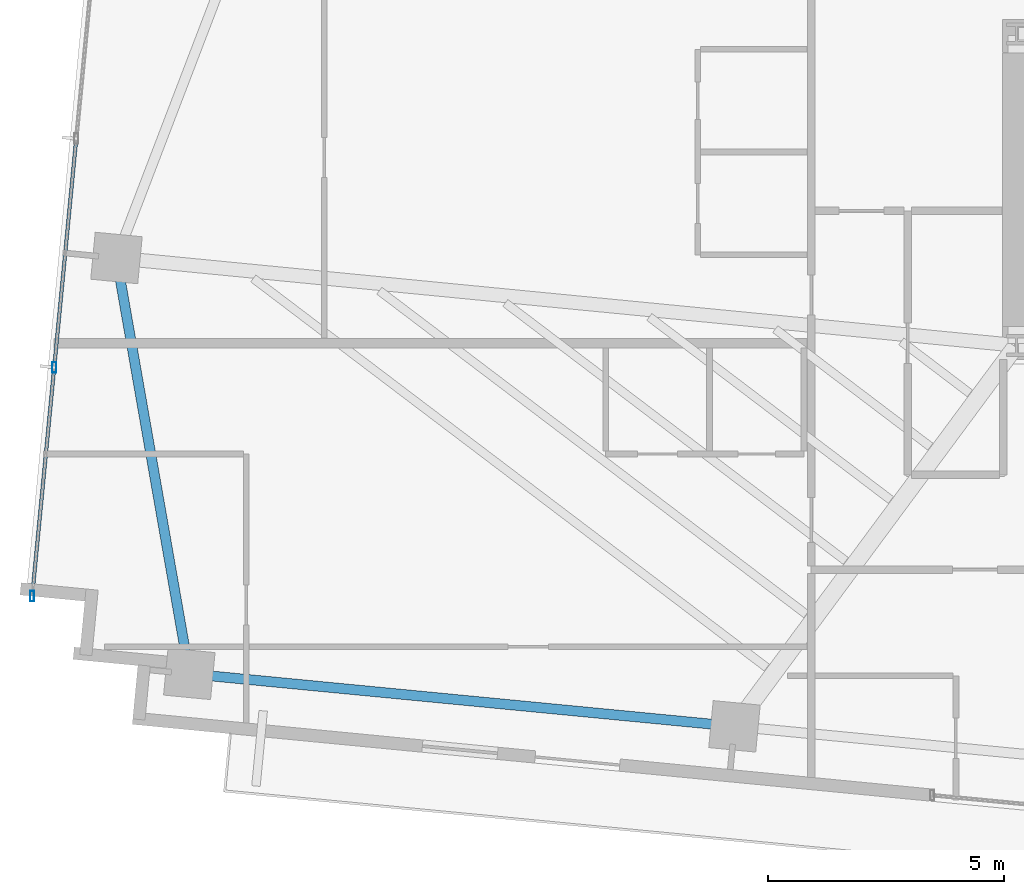
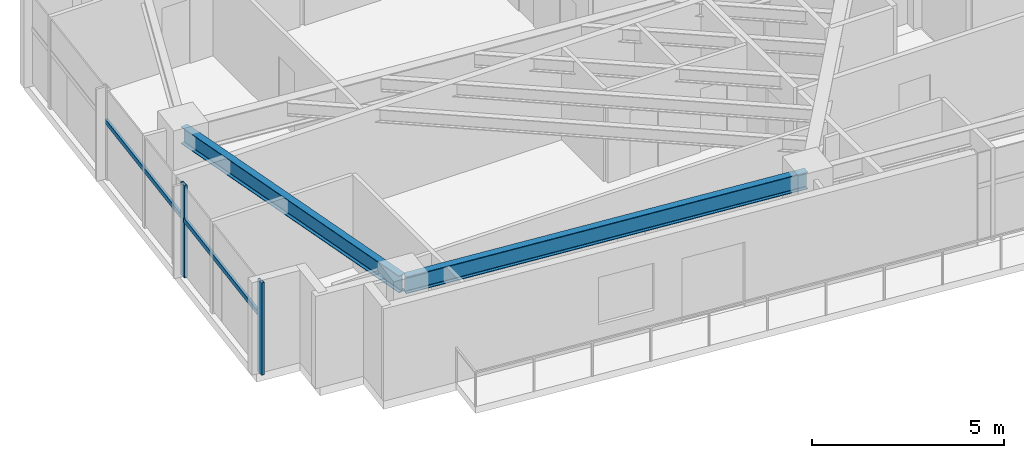
# One storey, part 2 of 20: 4 members, 2 beams, 1 element without a shape of its own.
"""IFC4 building model written with IfcOpenShell, lengths in metres."""

from ifc_helpers import new_model, si_unit, direction, frame, origin, origin_2d, place, context, subcontext, project, spatial, hollow_rectangle, i_section, extrude, source, transform, mapped, material, material_profile, profile_set, type_object, type_shapes, element, aggregate, save


model = new_model("IFC4")

# Units and contexts
model_context = context("Model", 3, precision=1e-05, world=origin(), true_north=direction((0.0, 1.0)))
body_context = subcontext(model_context, "Body", "Model", "MODEL_VIEW")
ifc_project = project(units=[si_unit("LENGTHUNIT", "METRE"), si_unit("AREAUNIT", "SQUARE_METRE"), si_unit("VOLUMEUNIT", "CUBIC_METRE"), si_unit("PLANEANGLEUNIT", "RADIAN"), si_unit("MASSUNIT", "GRAM", prefix="KILO")], contexts=[model_context])

# Site, building, storey
site_placement = place(None, origin())
site = spatial("IfcSite", under=ifc_project, at=site_placement, CompositionType="ELEMENT")
building_placement = place(site_placement, origin())
building = spatial("IfcBuilding", under=site, at=building_placement, Name="Astriad Promenade Condominiums", CompositionType="ELEMENT")
storey_placement = place(building_placement, frame((0.0, 0.0, 131.0)))
storey = spatial("IfcBuildingStorey", under=building, at=storey_placement, Name="L37", CompositionType="ELEMENT", Elevation=131.0)

# Beams
ifc_material_1 = material(Name="Steel ASTM A992 Grade 50", Category="steel")
ifc_material_profile_1 = material_profile(ifc_material_1, i_section(OverallWidth=0.210693359375, OverallDepth=0.53955078125, WebThickness=0.01171875, FlangeThickness=0.018798828125, FilletRadius=0.0166015625, at=origin_2d()), Name="W21X73")
ifc_profile_set_1 = profile_set([ifc_material_profile_1], Name="Steel ASTM A992 Grade 50")
beam_type = type_object("IfcBeamType", Name="STEEL SPANDREL BEAM W21X73", PredefinedType="SPANDREL", material=ifc_profile_set_1)
shared_shape_1 = source(origin(), body_context, "Body", "SweptSolid", [
    extrude(i_section(OverallWidth=0.210693359375, OverallDepth=0.53955078125, WebThickness=0.01171875, FlangeThickness=0.018798828125, FilletRadius=0.0166015625, at=origin_2d()), origin(), (0.0, 0.0, 1.0), 11.52001953125),
])
beam_1_placement = place(storey_placement, frame((8.92041015625, 10.439453125, 2.67041015625), z_axis=(0.9953953902, -0.095854145285, 0.0), x_axis=(0.095854145285, 0.9953953902, 0.0)))
element("IfcBeam", 1, at=beam_1_placement, inside=storey, type_object=beam_type, Name="Perimeter Spandrel Beam SP-S1-L37", PredefinedType="SPANDREL", context=body_context, shape_type="MappedRepresentation", body=[
    mapped(shared_shape_1, transform((0.0, 0.0, 0.0), scale=1.0)),
])
shared_shape_2 = source(origin(), body_context, "Body", "SweptSolid", [
    extrude(i_section(OverallWidth=0.210693359375, OverallDepth=0.53955078125, WebThickness=0.01171875, FlangeThickness=0.018798828125, FilletRadius=0.0166015625, at=origin_2d()), origin(), (0.0, 0.0, 1.0), 8.862548828125),
])
type_shapes(beam_type, [shared_shape_1, shared_shape_2])
beam_2_placement = place(storey_placement, frame((7.3447265625, 19.21240234375, 2.67041015625), z_axis=(0.172528005434, -0.985004612853, 0.0), x_axis=(0.985004612853, 0.172528005434, 0.0)))
element("IfcBeam", 2, at=beam_2_placement, inside=storey, type_object=beam_type, Name="Perimeter Spandrel Beam SP-W1-L37", PredefinedType="SPANDREL", context=body_context, shape_type="MappedRepresentation", body=[
    mapped(shared_shape_2, transform((0.0, 0.0, 0.0), scale=1.0)),
])

# Curtain wall, members
ifc_material_2 = material(Name="Anodised aluminium Black Dark Glass Unitised", Category="aluminium")
curtain_wall_type = type_object("IfcCurtainWallType", Name="CW-B34-DARK", PredefinedType="USERDEFINED", material=ifc_material_2)
curtain_wall_placement = place(storey_placement, origin())
curtain_wall = element("IfcCurtainWall", 3, at=curtain_wall_placement, inside=storey, type_object=curtain_wall_type, Name="CW-L37-W", ObjectType="UNITISED_CURTAIN_WALL", PredefinedType="USERDEFINED")
ifc_material_3 = material(Name="Anodised aluminium 6063-T6 Black", Category="aluminium")
ifc_material_profile_2 = material_profile(ifc_material_3, hollow_rectangle(XDim=0.0849609375, YDim=0.219970703125, WallThickness=0.0048828125, at=origin_2d()), Name="ALU-MUL-85X220")
ifc_profile_set_2 = profile_set([ifc_material_profile_2], Name="Anodised aluminium 6063-T6 Black")
member_type_1 = type_object("IfcMemberType", Name="MUL-ALU-MUL-85X220", PredefinedType="MULLION", material=ifc_profile_set_2)
shared_shape_3 = source(origin(), body_context, "Body", "SweptSolid", [
    extrude(hollow_rectangle(XDim=0.0849609375, YDim=0.219970703125, WallThickness=0.0048828125, at=origin_2d()), origin(), (0.0, 0.0, 1.0), 2.93994140625),
])
type_shapes(member_type_1, [shared_shape_3])
member_1_placement = place(storey_placement, frame((5.552978515625, 12.08984375, 0.0), z_axis=(0.0, 0.0, 1.0), x_axis=(1.0, 0.0, 0.0)))
member_1 = element("IfcMember", 4, at=member_1_placement, type_object=member_type_1, Name="CW-L37-W-MUL-00", PredefinedType="MULLION", context=body_context, shape_type="MappedRepresentation", body=[
    mapped(shared_shape_3, transform((0.0, 0.0, 0.0), scale=1.0)),
])
member_2_placement = place(storey_placement, frame((6.01953125, 16.93408203125, 0.0), z_axis=(0.0, 0.0, 1.0), x_axis=(1.0, 0.0, 0.0)))
member_2 = element("IfcMember", 5, at=member_2_placement, type_object=member_type_1, Name="CW-L37-W-MUL-01", PredefinedType="MULLION", context=body_context, shape_type="MappedRepresentation", body=[
    mapped(shared_shape_3, transform((0.0, 0.0, 0.0), scale=1.0)),
])
ifc_material_profile_3 = material_profile(ifc_material_3, hollow_rectangle(XDim=0.074951171875, YDim=0.14990234375, WallThickness=0.004150390625, at=origin_2d()), Name="ALU-TRN-75X150")
ifc_profile_set_3 = profile_set([ifc_material_profile_3], Name="Anodised aluminium 6063-T6 Black")
member_type_2 = type_object("IfcMemberType", Name="TRN-ALU-TRN-75X150", PredefinedType="USERDEFINED", material=ifc_profile_set_3)
shared_shape_4 = source(origin(), body_context, "Body", "SweptSolid", [
    extrude(hollow_rectangle(XDim=0.074951171875, YDim=0.14990234375, WallThickness=0.004150390625, at=origin_2d()), origin(), (0.0, 0.0, 1.0), 4.86669921875),
])
type_shapes(member_type_2, [shared_shape_4])
member_3_placement = place(storey_placement, frame((5.552978515625, 12.08984375, 1.82275390625), z_axis=(0.095867260207, 0.995394127178, 0.0), x_axis=(-0.995394127178, 0.095867260207, 0.0)))
member_3 = element("IfcMember", 6, at=member_3_placement, type_object=member_type_2, Name="CW-L37-W-TRN-00-0", ObjectType="TRANSOM", PredefinedType="USERDEFINED", context=body_context, shape_type="MappedRepresentation", body=[
    mapped(shared_shape_4, transform((0.0, 0.0, 0.0), scale=1.0)),
])
member_4_placement = place(storey_placement, frame((6.01953125, 16.93408203125, 1.82275390625), z_axis=(0.095867260207, 0.995394127178, 0.0), x_axis=(-0.995394127178, 0.095867260207, 0.0)))
member_4 = element("IfcMember", 7, at=member_4_placement, type_object=member_type_2, Name="CW-L37-W-TRN-01-0", ObjectType="TRANSOM", PredefinedType="USERDEFINED", context=body_context, shape_type="MappedRepresentation", body=[
    mapped(shared_shape_4, transform((0.0, 0.0, 0.0), scale=1.0)),
])
aggregate(curtain_wall, [member_1, member_2, member_3, member_4])

save(model, "model.ifc")
